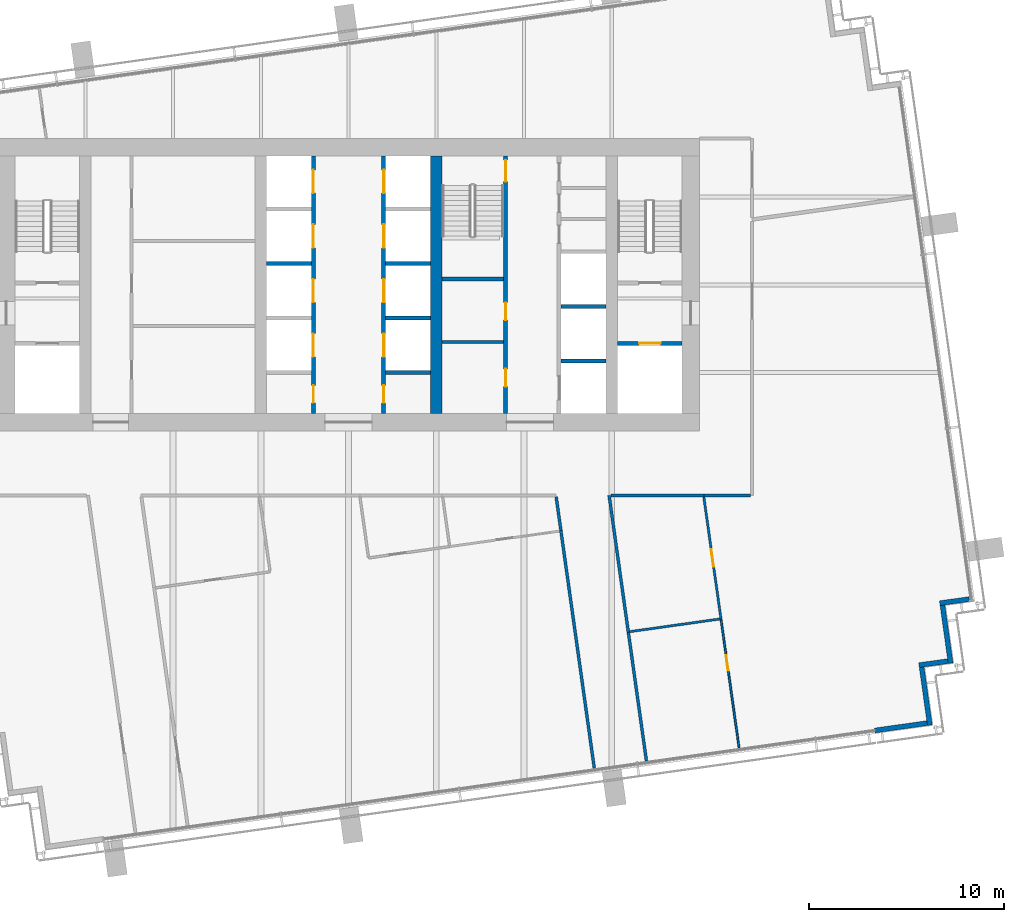
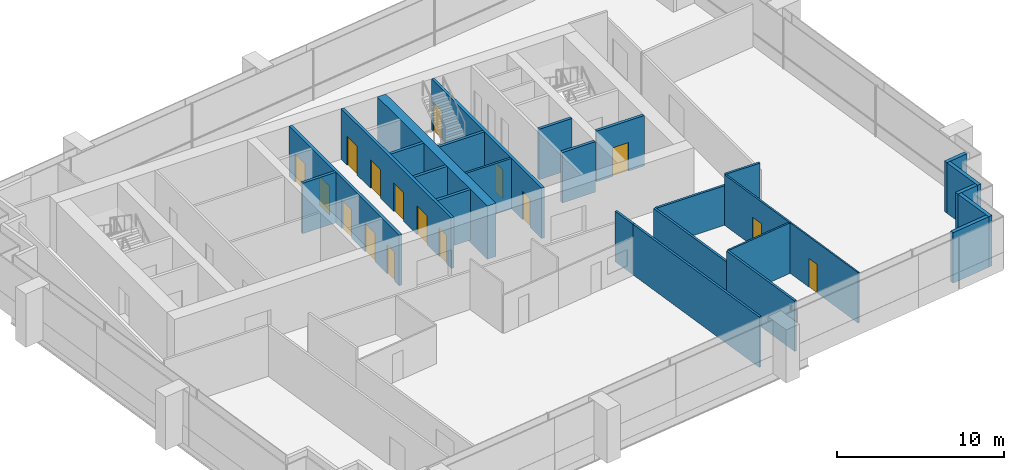
# One storey, part 10 of 17: 27 walls, 16 doors, 16 openings.
"""IFC4 building model written with IfcOpenShell, lengths in metres."""

from ifc_helpers import new_model, si_unit, direction, frame, frame_2d, origin, place, context, subcontext, project, spatial, rectangle, extrude, material, layer, layer_set, type_object, element, fill, save


model = new_model("IFC4")

# Units and contexts
model_context = context("Model", 3, precision=1e-05, world=origin(), true_north=direction((0.0, 1.0)))
body_context = subcontext(model_context, "Body", "Model", "MODEL_VIEW")
ifc_project = project(units=[si_unit("LENGTHUNIT", "METRE"), si_unit("AREAUNIT", "SQUARE_METRE"), si_unit("VOLUMEUNIT", "CUBIC_METRE"), si_unit("PLANEANGLEUNIT", "RADIAN"), si_unit("MASSUNIT", "GRAM", prefix="KILO")], contexts=[model_context])

# Site, building, storey
site_placement = place(None, origin())
site = spatial("IfcSite", under=ifc_project, at=site_placement, CompositionType="ELEMENT")
building_placement = place(site_placement, origin())
building = spatial("IfcBuilding", under=site, at=building_placement, Name="Rattan Terrace Tower", CompositionType="ELEMENT")
storey_placement = place(building_placement, frame((0.0, 0.0, 221.300048828125)))
storey = spatial("IfcBuildingStorey", under=building, at=storey_placement, Name="L50", CompositionType="ELEMENT", Elevation=221.300048828125)

# Wall
ifc_material_1 = material(Name="Gypsum board partition")
ifc_layer_1 = layer(ifc_material_1, 0.14990234375)
ifc_layer_set_1 = layer_set([ifc_layer_1], Name="Core partition 150")
wall_type_1 = type_object("IfcWallType", Name="Core partition 150", PredefinedType="PARTITIONING", material=ifc_layer_set_1)
wall_1_placement = place(storey_placement, frame((4.800048828125, -2.927978515625, 0.0), z_axis=(0.0, 0.0, 1.0), x_axis=(1.0, 0.0, 0.0)))
element("IfcWall", 1, at=wall_1_placement, inside=storey, type_object=wall_type_1, Name="Toilet wall", PredefinedType="PARTITIONING", context=body_context, shape_type="SweptSolid", body=[
    extrude(rectangle(XDim=3.14990234375, YDim=0.14990234375, at=frame_2d((1.574951171875, 0.0))), origin(), (0.0, 0.0, 1.0), 3.699951171875),
])

# Wall, opening, door
ifc_material_2 = material(Name="Gypsum board partition")
ifc_layer_2 = layer(ifc_material_2, 0.199951171875)
ifc_layer_set_2 = layer_set([ifc_layer_2], Name="Core partition 200")
wall_type_2 = type_object("IfcWallType", Name="Core partition 200", PredefinedType="PARTITIONING", material=ifc_layer_set_2)
wall_2_placement = place(storey_placement, frame((13.800048828125, -3.0, 0.0), z_axis=(0.0, 0.0, 1.0), x_axis=(1.0, 0.0, 0.0)))
wall_2 = element("IfcWall", 2, at=wall_2_placement, inside=storey, type_object=wall_type_2, Name="Fire-fighting lobby wall", PredefinedType="PARTITIONING", context=body_context, shape_type="SweptSolid", body=[
    extrude(rectangle(XDim=3.300048828125, YDim=0.199951171875, at=frame_2d((1.64990234375, 0.0))), origin(), (0.0, 0.0, 1.0), 3.699951171875),
])
opening_1_placement = place(wall_2_placement, frame((1.10009765625, 0.0, 0.0)))
opening_1 = element("IfcOpeningElement", 3, at=opening_1_placement, cuts=wall_2, Name="Opening L50-LD-FF2", PredefinedType="OPENING", context=body_context, shape_type="SweptSolid", body=[
    extrude(rectangle(XDim=1.10009765625, YDim=2.10009765625, at=frame_2d((0.550048828125, 1.050048828125))), frame((0.0, 0.110595703125, 0.0), z_axis=(0.0, -1.0, 0.0), x_axis=(1.0, 0.0, 0.0)), (0.0, 0.0, 1.0), 0.220947265625),
])
ifc_material_3 = material(Name="Brushed stainless landing door panel")
door_type_1 = type_object("IfcDoorType", Name="Core lift landing door 1100", OperationType="DOUBLE_DOOR_SLIDING", PredefinedType="DOOR", material=ifc_material_3)
door_1_placement = place(opening_1_placement, origin())
door_1 = element("IfcDoor", 4, at=door_1_placement, inside=storey, type_object=door_type_1, Name="Door L50-LD-FF2", OperationType="DOUBLE_DOOR_SLIDING", OverallHeight=2.10009765625, OverallWidth=1.10009765625, PredefinedType="DOOR", context=body_context, shape_type="SweptSolid", body=[
    extrude(rectangle(XDim=1.10009765625, YDim=2.10009765625, at=frame_2d((0.550048828125, 1.050048828125))), frame((0.0, 0.02490234375, 0.0), z_axis=(0.0, -1.0, 0.0), x_axis=(1.0, 0.0, 0.0)), (0.0, 0.0, 1.0), 0.050048828125),
])
fill(opening_1, door_1)

# Wall, openings, doors
wall_3_placement = place(storey_placement, frame((8.050048828125, -6.60009765625, 0.0), z_axis=(0.0, 0.0, 1.0), x_axis=(0.0, 1.0, 0.0)))
wall_3 = element("IfcWall", 5, at=wall_3_placement, inside=storey, type_object=wall_type_2, Name="Lobby wall west", PredefinedType="PARTITIONING", context=body_context, shape_type="SweptSolid", body=[
    extrude(rectangle(XDim=13.2001953125, YDim=0.199951171875, at=frame_2d((6.60009765625, 0.0))), origin(), (0.0, 0.0, 1.0), 3.699951171875),
])
opening_2_placement = place(wall_3_placement, frame((1.385986328125, 0.0, 0.0)))
opening_2 = element("IfcOpeningElement", 6, at=opening_2_placement, cuts=wall_3, Name="Opening L50-D012", PredefinedType="OPENING", context=body_context, shape_type="SweptSolid", body=[
    extrude(rectangle(XDim=0.89990234375, YDim=2.10009765625, at=frame_2d((0.449951171875, 1.050048828125))), frame((0.0, 0.110595703125, 0.0), z_axis=(0.0, -1.0, 0.0), x_axis=(1.0, 0.0, 0.0)), (0.0, 0.0, 1.0), 0.220947265625),
])
opening_3_placement = place(wall_3_placement, frame((4.785888671875, 0.0, 0.0)))
opening_3 = element("IfcOpeningElement", 7, at=opening_3_placement, cuts=wall_3, Name="Opening L50-D013", PredefinedType="OPENING", context=body_context, shape_type="SweptSolid", body=[
    extrude(rectangle(XDim=0.89990234375, YDim=2.10009765625, at=frame_2d((0.449951171875, 1.050048828125))), frame((0.0, 0.110595703125, 0.0), z_axis=(0.0, -1.0, 0.0), x_axis=(1.0, 0.0, 0.0)), (0.0, 0.0, 1.0), 0.220947265625),
])
opening_4_placement = place(wall_3_placement, frame((11.89990234375, 0.0, 0.0)))
opening_4 = element("IfcOpeningElement", 8, at=opening_4_placement, cuts=wall_3, Name="Opening L50-D014", PredefinedType="OPENING", context=body_context, shape_type="SweptSolid", body=[
    extrude(rectangle(XDim=1.10009765625, YDim=2.10009765625, at=frame_2d((0.550048828125, 1.050048828125))), frame((0.0, 0.110595703125, 0.0), z_axis=(0.0, -1.0, 0.0), x_axis=(1.0, 0.0, 0.0)), (0.0, 0.0, 1.0), 0.220947265625),
])
ifc_material_4 = material(Name="Hollow-metal fire door leaf")
door_type_2 = type_object("IfcDoorType", Name="Core stair door 1100", OperationType="NOTDEFINED", PredefinedType="DOOR", material=ifc_material_4)
door_2_placement = place(opening_4_placement, origin())
door_2 = element("IfcDoor", 9, at=door_2_placement, inside=storey, type_object=door_type_2, Name="Door L50-D014", OperationType="SINGLE_SWING_LEFT", OverallHeight=2.10009765625, OverallWidth=1.10009765625, PredefinedType="DOOR", context=body_context, shape_type="SweptSolid", body=[
    extrude(rectangle(XDim=1.10009765625, YDim=2.10009765625, at=frame_2d((0.550048828125, 1.050048828125))), frame((0.0, 0.02490234375, 0.0), z_axis=(0.0, -1.0, 0.0), x_axis=(1.0, 0.0, 0.0)), (0.0, 0.0, 1.0), 0.050048828125),
])
fill(opening_4, door_2)
ifc_material_5 = material(Name="Hollow-metal fire door leaf")
door_type_3 = type_object("IfcDoorType", Name="Core toilet door 900", OperationType="NOTDEFINED", PredefinedType="DOOR", material=ifc_material_5)
door_3_placement = place(opening_2_placement, origin())
door_3 = element("IfcDoor", 10, at=door_3_placement, inside=storey, type_object=door_type_3, Name="Door L50-D012", OperationType="SINGLE_SWING_LEFT", OverallHeight=2.10009765625, OverallWidth=0.89990234375, PredefinedType="DOOR", context=body_context, shape_type="SweptSolid", body=[
    extrude(rectangle(XDim=0.89990234375, YDim=2.10009765625, at=frame_2d((0.449951171875, 1.050048828125))), frame((0.0, 0.02490234375, 0.0), z_axis=(0.0, -1.0, 0.0), x_axis=(1.0, 0.0, 0.0)), (0.0, 0.0, 1.0), 0.050048828125),
])
fill(opening_2, door_3)
door_4_placement = place(opening_3_placement, origin())
door_4 = element("IfcDoor", 11, at=door_4_placement, inside=storey, type_object=door_type_3, Name="Door L50-D013", OperationType="SINGLE_SWING_RIGHT", OverallHeight=2.10009765625, OverallWidth=0.89990234375, PredefinedType="DOOR", context=body_context, shape_type="SweptSolid", body=[
    extrude(rectangle(XDim=0.89990234375, YDim=2.10009765625, at=frame_2d((0.449951171875, 1.050048828125))), frame((0.0, 0.02490234375, 0.0), z_axis=(0.0, -1.0, 0.0), x_axis=(1.0, 0.0, 0.0)), (0.0, 0.0, 1.0), 0.050048828125),
])
fill(opening_3, door_4)

# Walls
wall_4_placement = place(storey_placement, frame((4.800048828125, 0.300048828125, 0.0), z_axis=(0.0, 0.0, 1.0), x_axis=(1.0, 0.0, 0.0)))
element("IfcWall", 12, at=wall_4_placement, inside=storey, type_object=wall_type_2, Name="Stair enclosure wall", PredefinedType="PARTITIONING", context=body_context, shape_type="SweptSolid", body=[
    extrude(rectangle(XDim=3.14990234375, YDim=0.199951171875, at=frame_2d((1.574951171875, 0.0))), origin(), (0.0, 0.0, 1.0), 3.699951171875),
])
ifc_material_6 = material(Name="Concrete C50/60", Category="concrete")
ifc_layer_3 = layer(ifc_material_6, 0.60009765625)
ifc_layer_set_3 = layer_set([ifc_layer_3], Name="Core spine wall 600 C50/60")
wall_type_3 = type_object("IfcWallType", Name="Core spine wall 600 C50/60", PredefinedType="SHEAR", material=ifc_layer_set_3)
wall_5_placement = place(storey_placement, frame((4.5, -6.60009765625, -0.199951171875), z_axis=(0.0, 0.0, 1.0), x_axis=(0.0, 1.0, 0.0)))
element("IfcWall", 13, at=wall_5_placement, inside=storey, type_object=wall_type_3, Name="Core spine wall 3", PredefinedType="SHEAR", context=body_context, shape_type="SweptSolid", body=[
    extrude(rectangle(XDim=13.2001953125, YDim=0.60009765625, at=frame_2d((6.60009765625, 0.0))), origin(), (0.0, 0.0, 1.0), 3.89990234375),
])
ifc_material_7 = material(Name="Insulated aluminium-clad stud wall", Category="aluminium")
ifc_layer_4 = layer(ifc_material_7, 0.25)
ifc_layer_set_4 = layer_set([ifc_layer_4], Name="Facade Riser Wall 250")
wall_type_4 = type_object("IfcWallType", Name="Facade Riser Wall 250", PredefinedType="SOLIDWALL", material=ifc_layer_set_4)
wall_6_placement = place(storey_placement, frame((26.995361328125, -22.858642578125, 0.0), z_axis=(0.0, 0.0, 1.0), x_axis=(0.99024510326, 0.139336411139, 0.0)))
element("IfcWall", 14, at=wall_6_placement, inside=storey, type_object=wall_type_4, Name="Riser wall L50-1", PredefinedType="SOLIDWALL", context=body_context, shape_type="SweptSolid", body=[
    extrude(rectangle(XDim=2.705322265625, YDim=0.25, at=frame_2d((1.3525390625, 0.0))), origin(), (0.0, 0.0, 1.0), 3.699951171875),
])
wall_7_placement = place(storey_placement, frame((29.8154296875, -22.588134765625, 0.0), z_axis=(0.0, 0.0, 1.0), x_axis=(-0.138983028379, 0.9902947631, 0.0)))
element("IfcWall", 15, at=wall_7_placement, inside=storey, type_object=wall_type_4, Name="Riser wall L50-2", PredefinedType="SOLIDWALL", context=body_context, shape_type="SweptSolid", body=[
    extrude(rectangle(XDim=3.000244140625, YDim=0.25, at=frame_2d((1.5, 0.0))), origin(), (0.0, 0.0, 1.0), 3.699951171875),
])
wall_8_placement = place(storey_placement, frame((29.25732421875, -19.510498046875, 0.0), z_axis=(0.0, 0.0, 1.0), x_axis=(0.990330117064, 0.138730887823, 0.0)))
element("IfcWall", 16, at=wall_8_placement, inside=storey, type_object=wall_type_4, Name="Riser wall L50-3", PredefinedType="SOLIDWALL", context=body_context, shape_type="SweptSolid", body=[
    extrude(rectangle(XDim=1.499267578125, YDim=0.25, at=frame_2d((0.74951171875, 0.0))), origin(), (0.0, 0.0, 1.0), 3.699951171875),
])
wall_9_placement = place(storey_placement, frame((30.88330078125, -19.408935546875, 0.0), z_axis=(0.0, 0.0, 1.0), x_axis=(-0.139324658755, 0.990246756855, 0.0)))
element("IfcWall", 17, at=wall_9_placement, inside=storey, type_object=wall_type_4, Name="Riser wall L50-4", PredefinedType="SOLIDWALL", context=body_context, shape_type="SweptSolid", body=[
    extrude(rectangle(XDim=3.0, YDim=0.25, at=frame_2d((1.5, 0.0))), origin(), (0.0, 0.0, 1.0), 3.699951171875),
])
wall_10_placement = place(storey_placement, frame((30.32421875, -16.331787109375, 0.0), z_axis=(0.0, 0.0, 1.0), x_axis=(0.990238641016, 0.139382329723, 0.0)))
element("IfcWall", 18, at=wall_10_placement, inside=storey, type_object=wall_type_4, Name="Riser wall L50-5", PredefinedType="SOLIDWALL", context=body_context, shape_type="SweptSolid", body=[
    extrude(rectangle(XDim=1.525634765625, YDim=0.25, at=frame_2d((0.7626953125, 0.0))), origin(), (0.0, 0.0, 1.0), 3.699951171875),
])

# Wall, opening, door
ifc_material_8 = material(Name="Gypsum board partition on steel studs", Category="steel")
ifc_layer_5 = layer(ifc_material_8, 0.10009765625)
ifc_layer_set_5 = layer_set([ifc_layer_5], Name="Floors Partition 100")
wall_type_5 = type_object("IfcWallType", Name="Floors Partition 100", PredefinedType="PARTITIONING", material=ifc_layer_set_5)
wall_11_placement = place(storey_placement, frame((20.030029296875, -23.74609375, 0.0), z_axis=(0.0, 0.0, 1.0), x_axis=(-0.139070003418, 0.990282552683, 0.0)))
wall_11 = element("IfcWall", 19, at=wall_11_placement, inside=storey, type_object=wall_type_5, Name="pt-L50-020", PredefinedType="PARTITIONING", context=body_context, shape_type="SweptSolid", body=[
    extrude(rectangle(XDim=6.65869140625, YDim=0.10009765625, at=frame_2d((3.329345703125, 0.0))), origin(), (0.0, 0.0, 1.0), 3.699951171875),
])
opening_5_placement = place(wall_11_placement, frame((4.0009765625, 0.0, 0.0)))
opening_5 = element("IfcOpeningElement", 20, at=opening_5_placement, cuts=wall_11, Name="Opening L50-D102", PredefinedType="OPENING", context=body_context, shape_type="SweptSolid", body=[
    extrude(rectangle(XDim=0.800048828125, YDim=2.10009765625, at=frame_2d((0.39990234375, 1.050048828125))), frame((0.0, 0.060546875, 0.0), z_axis=(0.0, -1.0, 0.0), x_axis=(1.0, 0.0, 0.0)), (0.0, 0.0, 1.0), 0.12109375),
])
ifc_material_9 = material(Name="Solid core timber door, painted", Category="wood")
door_type_4 = type_object("IfcDoorType", Name="Floors Store Door 800x2100", OperationType="NOTDEFINED", PredefinedType="DOOR", material=ifc_material_9)
door_5_placement = place(opening_5_placement, origin())
door_5 = element("IfcDoor", 21, at=door_5_placement, inside=storey, type_object=door_type_4, Name="d-L50-102", OperationType="SINGLE_SWING_RIGHT", OverallHeight=2.10009765625, OverallWidth=0.800048828125, PredefinedType="DOOR", context=body_context, shape_type="SweptSolid", body=[
    extrude(rectangle(XDim=0.800048828125, YDim=2.10009765625, at=frame_2d((0.39990234375, 1.050048828125))), frame((0.0, 0.02490234375, 0.0), z_axis=(0.0, -1.0, 0.0), x_axis=(1.0, 0.0, 0.0)), (0.0, 0.0, 1.0), 0.050048828125),
])
fill(opening_5, door_5)

# Walls
ifc_material_10 = material(Name="Gypsum board partition on steel studs, fire rated", Category="steel")
ifc_layer_6 = layer(ifc_material_10, 0.14990234375)
ifc_layer_set_6 = layer_set([ifc_layer_6], Name="Floors Tenancy Wall 150")
wall_type_6 = type_object("IfcWallType", Name="Floors Tenancy Wall 150", PredefinedType="PARTITIONING", material=ifc_layer_set_6)
wall_12_placement = place(storey_placement, frame((20.625, -10.801025390625, 0.0), z_axis=(0.0, 0.0, 1.0), x_axis=(-1.0, 0.0, 0.0)))
element("IfcWall", 22, at=wall_12_placement, inside=storey, type_object=wall_type_6, Name="pt-L50-004", PredefinedType="PARTITIONING", context=body_context, shape_type="SweptSolid", body=[
    extrude(rectangle(XDim=2.39404296875, YDim=0.14990234375, at=frame_2d((1.197021484375, 0.0))), origin(), (0.0, 0.0, 1.0), 3.699951171875),
])
wall_13_placement = place(storey_placement, frame((14.35009765625, -17.820068359375, 0.0), z_axis=(0.0, 0.0, 1.0), x_axis=(0.139193607275, -0.99026518655, 0.0)))
element("IfcWall", 23, at=wall_13_placement, inside=storey, type_object=wall_type_6, Name="pt-L50-006", PredefinedType="PARTITIONING", context=body_context, shape_type="SweptSolid", body=[
    extrude(rectangle(XDim=6.659912109375, YDim=0.14990234375, at=frame_2d((3.330078125, 0.0))), origin(), (0.0, 0.0, 1.0), 3.699951171875),
])
wall_14_placement = place(storey_placement, frame((13.363037109375, -10.800048828125, 0.0), z_axis=(0.0, 0.0, 1.0), x_axis=(0.139236890445, -0.990259101619, 0.0)))
element("IfcWall", 24, at=wall_14_placement, inside=storey, type_object=wall_type_6, Name="pt-L50-007", PredefinedType="PARTITIONING", context=body_context, shape_type="SweptSolid", body=[
    extrude(rectangle(XDim=7.089111328125, YDim=0.14990234375, at=frame_2d((3.54443359375, 0.0))), origin(), (0.0, 0.0, 1.0), 2.89990234375),
])
wall_15_placement = place(storey_placement, frame((18.23095703125, -10.800048828125, 0.0), z_axis=(0.0, 0.0, 1.0), x_axis=(-1.0, 0.0, 0.0)))
element("IfcWall", 25, at=wall_15_placement, inside=storey, type_object=wall_type_6, Name="pt-L50-008", PredefinedType="PARTITIONING", context=body_context, shape_type="SweptSolid", body=[
    extrude(rectangle(XDim=4.781982421875, YDim=0.14990234375, at=frame_2d((2.39111328125, 0.0))), origin(), (0.0, 0.0, 1.0), 2.89990234375),
])
wall_16_placement = place(storey_placement, frame((12.60302734375, -24.791015625, 0.0), z_axis=(0.0, 0.0, 1.0), x_axis=(-0.139180069817, 0.990267089308, 0.0)))
element("IfcWall", 26, at=wall_16_placement, inside=storey, type_object=wall_type_6, Name="pt-L50-014", PredefinedType="PARTITIONING", context=body_context, shape_type="SweptSolid", body=[
    extrude(rectangle(XDim=12.308837890625, YDim=0.14990234375, at=frame_2d((6.154296875, 0.0))), origin(), (0.0, 0.0, 1.0), 3.699951171875),
])
wall_17_placement = place(storey_placement, frame((10.89111328125, -12.60107421875, 0.0), z_axis=(0.0, 0.0, 1.0), x_axis=(-0.139344862723, 0.990243914009, 0.0)))
element("IfcWall", 27, at=wall_17_placement, inside=storey, type_object=wall_type_6, Name="pt-L50-019", PredefinedType="PARTITIONING", context=body_context, shape_type="SweptSolid", body=[
    extrude(rectangle(XDim=1.7451171875, YDim=0.14990234375, at=frame_2d((0.87255859375, 0.0))), origin(), (0.0, 0.0, 1.0), 3.699951171875),
])

# Wall, opening, door
ifc_material_11 = material(Name="Moisture resistant gypsum board partition on steel studs with service cavity", Category="steel")
ifc_layer_7 = layer(ifc_material_11, 0.1201171875)
ifc_layer_set_7 = layer_set([ifc_layer_7], Name="Floors Wet Wall 120")
wall_type_7 = type_object("IfcWallType", Name="Floors Wet Wall 120", PredefinedType="PARTITIONING", material=ifc_layer_set_7)
wall_18_placement = place(storey_placement, frame((19.10400390625, -17.152099609375, 0.0), z_axis=(0.0, 0.0, 1.0), x_axis=(-0.139283120935, 0.99025260021, 0.0)))
wall_18 = element("IfcWall", 28, at=wall_18_placement, inside=storey, type_object=wall_type_7, Name="pt-L50-021", PredefinedType="PARTITIONING", context=body_context, shape_type="SweptSolid", body=[
    extrude(rectangle(XDim=6.346923828125, YDim=0.1201171875, at=frame_2d((3.17333984375, 0.0))), origin(), (0.0, 0.0, 1.0), 3.699951171875),
])
opening_6_placement = place(wall_18_placement, frame((2.722900390625, 0.0, 0.0)))
opening_6 = element("IfcOpeningElement", 29, at=opening_6_placement, cuts=wall_18, Name="Opening L50-D103", PredefinedType="OPENING", context=body_context, shape_type="SweptSolid", body=[
    extrude(rectangle(XDim=0.89990234375, YDim=2.10009765625, at=frame_2d((0.449951171875, 1.050048828125))), frame((0.0, 0.070556640625, 0.0), z_axis=(0.0, -1.0, 0.0), x_axis=(1.0, 0.0, 0.0)), (0.0, 0.0, 1.0), 0.14111328125),
])
ifc_material_12 = material(Name="Solid core timber door, painted", Category="wood")
door_type_5 = type_object("IfcDoorType", Name="Floors Door 900x2100", OperationType="NOTDEFINED", PredefinedType="DOOR", material=ifc_material_12)
door_6_placement = place(opening_6_placement, origin())
door_6 = element("IfcDoor", 30, at=door_6_placement, inside=storey, type_object=door_type_5, Name="d-L50-103", OperationType="SINGLE_SWING_RIGHT", OverallHeight=2.10009765625, OverallWidth=0.89990234375, PredefinedType="DOOR", context=body_context, shape_type="SweptSolid", body=[
    extrude(rectangle(XDim=0.89990234375, YDim=2.10009765625, at=frame_2d((0.449951171875, 1.050048828125))), frame((0.0, 0.02490234375, 0.0), z_axis=(0.0, -1.0, 0.0), x_axis=(1.0, 0.0, 0.0)), (0.0, 0.0, 1.0), 0.050048828125),
])
fill(opening_6, door_6)

# Wall
wall_19_placement = place(storey_placement, frame((14.4208984375, -17.7900390625, 0.0), z_axis=(0.0, 0.0, 1.0), x_axis=(0.990243495755, 0.139347834982, 0.0)))
element("IfcWall", 31, at=wall_19_placement, inside=storey, type_object=wall_type_7, Name="pt-L50-023", PredefinedType="PARTITIONING", context=body_context, shape_type="SweptSolid", body=[
    extrude(rectangle(XDim=4.66552734375, YDim=0.1201171875, at=frame_2d((2.332763671875, 0.0))), origin(), (0.0, 0.0, 1.0), 3.699951171875),
])

# Wall, openings, doors
ifc_material_13 = material(Name="Gypsum shaft wall system")
ifc_layer_8 = layer(ifc_material_13, 0.199951171875)
ifc_layer_set_8 = layer_set([ifc_layer_8], Name="Lift shaft wall 200")
wall_type_8 = type_object("IfcWallType", Name="Lift shaft wall 200", PredefinedType="PARTITIONING", material=ifc_layer_set_8)
wall_20_placement = place(storey_placement, frame((-1.800048828125, -6.60009765625, 0.0), z_axis=(0.0, 0.0, 1.0), x_axis=(0.0, 1.0, 0.0)))
wall_20 = element("IfcWall", 32, at=wall_20_placement, inside=storey, type_object=wall_type_8, Name="Lift shaft front wall", PredefinedType="PARTITIONING", context=body_context, shape_type="SweptSolid", body=[
    extrude(rectangle(XDim=13.2001953125, YDim=0.199951171875, at=frame_2d((6.60009765625, 0.0))), origin(), (0.0, 0.0, 1.0), 3.699951171875),
])
opening_7_placement = place(wall_20_placement, frame((0.550048828125, 0.0, 0.0)))
opening_7 = element("IfcOpeningElement", 33, at=opening_7_placement, cuts=wall_20, Name="Opening L50-D009", PredefinedType="OPENING", context=body_context, shape_type="SweptSolid", body=[
    extrude(rectangle(XDim=0.89990234375, YDim=2.10009765625, at=frame_2d((0.449951171875, 1.050048828125))), frame((0.0, 0.110595703125, 0.0), z_axis=(0.0, -1.0, 0.0), x_axis=(1.0, 0.0, 0.0)), (0.0, 0.0, 1.0), 0.220947265625),
])
opening_8_placement = place(wall_20_placement, frame((2.89990234375, 0.0, 0.0)))
opening_8 = element("IfcOpeningElement", 34, at=opening_8_placement, cuts=wall_20, Name="Opening L50-LD-HR1", PredefinedType="OPENING", context=body_context, shape_type="SweptSolid", body=[
    extrude(rectangle(XDim=1.199951171875, YDim=2.10009765625, at=frame_2d((0.60009765625, 1.050048828125))), frame((0.0, 0.110595703125, 0.0), z_axis=(0.0, -1.0, 0.0), x_axis=(1.0, 0.0, 0.0)), (0.0, 0.0, 1.0), 0.220947265625),
])
opening_9_placement = place(wall_20_placement, frame((5.699951171875, 0.0, 0.0)))
opening_9 = element("IfcOpeningElement", 35, at=opening_9_placement, cuts=wall_20, Name="Opening L50-LD-HR2", PredefinedType="OPENING", context=body_context, shape_type="SweptSolid", body=[
    extrude(rectangle(XDim=1.199951171875, YDim=2.10009765625, at=frame_2d((0.60009765625, 1.050048828125))), frame((0.0, 0.110595703125, 0.0), z_axis=(0.0, -1.0, 0.0), x_axis=(1.0, 0.0, 0.0)), (0.0, 0.0, 1.0), 0.220947265625),
])
opening_10_placement = place(wall_20_placement, frame((8.5, 0.0, 0.0)))
opening_10 = element("IfcOpeningElement", 36, at=opening_10_placement, cuts=wall_20, Name="Opening L50-LD-HR3", PredefinedType="OPENING", context=body_context, shape_type="SweptSolid", body=[
    extrude(rectangle(XDim=1.199951171875, YDim=2.10009765625, at=frame_2d((0.60009765625, 1.050048828125))), frame((0.0, 0.110595703125, 0.0), z_axis=(0.0, -1.0, 0.0), x_axis=(1.0, 0.0, 0.0)), (0.0, 0.0, 1.0), 0.220947265625),
])
opening_11_placement = place(wall_20_placement, frame((11.300048828125, 0.0, 0.0)))
opening_11 = element("IfcOpeningElement", 37, at=opening_11_placement, cuts=wall_20, Name="Opening L50-LD-HR4", PredefinedType="OPENING", context=body_context, shape_type="SweptSolid", body=[
    extrude(rectangle(XDim=1.199951171875, YDim=2.10009765625, at=frame_2d((0.60009765625, 1.050048828125))), frame((0.0, 0.110595703125, 0.0), z_axis=(0.0, -1.0, 0.0), x_axis=(1.0, 0.0, 0.0)), (0.0, 0.0, 1.0), 0.220947265625),
])
ifc_material_14 = material(Name="Brushed stainless landing door panel")
door_type_6 = type_object("IfcDoorType", Name="Core lift landing door 1200", OperationType="DOUBLE_DOOR_SLIDING", PredefinedType="DOOR", material=ifc_material_14)
door_7_placement = place(opening_8_placement, origin())
door_7 = element("IfcDoor", 38, at=door_7_placement, inside=storey, type_object=door_type_6, Name="Door L50-LD-HR1", OperationType="DOUBLE_DOOR_SLIDING", OverallHeight=2.10009765625, OverallWidth=1.199951171875, PredefinedType="DOOR", context=body_context, shape_type="SweptSolid", body=[
    extrude(rectangle(XDim=1.199951171875, YDim=2.10009765625, at=frame_2d((0.60009765625, 1.050048828125))), frame((0.0, 0.02490234375, 0.0), z_axis=(0.0, -1.0, 0.0), x_axis=(1.0, 0.0, 0.0)), (0.0, 0.0, 1.0), 0.050048828125),
])
fill(opening_8, door_7)
door_8_placement = place(opening_9_placement, origin())
door_8 = element("IfcDoor", 39, at=door_8_placement, inside=storey, type_object=door_type_6, Name="Door L50-LD-HR2", OperationType="DOUBLE_DOOR_SLIDING", OverallHeight=2.10009765625, OverallWidth=1.199951171875, PredefinedType="DOOR", context=body_context, shape_type="SweptSolid", body=[
    extrude(rectangle(XDim=1.199951171875, YDim=2.10009765625, at=frame_2d((0.60009765625, 1.050048828125))), frame((0.0, 0.02490234375, 0.0), z_axis=(0.0, -1.0, 0.0), x_axis=(1.0, 0.0, 0.0)), (0.0, 0.0, 1.0), 0.050048828125),
])
fill(opening_9, door_8)
door_9_placement = place(opening_10_placement, origin())
door_9 = element("IfcDoor", 40, at=door_9_placement, inside=storey, type_object=door_type_6, Name="Door L50-LD-HR3", OperationType="DOUBLE_DOOR_SLIDING", OverallHeight=2.10009765625, OverallWidth=1.199951171875, PredefinedType="DOOR", context=body_context, shape_type="SweptSolid", body=[
    extrude(rectangle(XDim=1.199951171875, YDim=2.10009765625, at=frame_2d((0.60009765625, 1.050048828125))), frame((0.0, 0.02490234375, 0.0), z_axis=(0.0, -1.0, 0.0), x_axis=(1.0, 0.0, 0.0)), (0.0, 0.0, 1.0), 0.050048828125),
])
fill(opening_10, door_9)
door_10_placement = place(opening_11_placement, origin())
door_10 = element("IfcDoor", 41, at=door_10_placement, inside=storey, type_object=door_type_6, Name="Door L50-LD-HR4", OperationType="DOUBLE_DOOR_SLIDING", OverallHeight=2.10009765625, OverallWidth=1.199951171875, PredefinedType="DOOR", context=body_context, shape_type="SweptSolid", body=[
    extrude(rectangle(XDim=1.199951171875, YDim=2.10009765625, at=frame_2d((0.60009765625, 1.050048828125))), frame((0.0, 0.02490234375, 0.0), z_axis=(0.0, -1.0, 0.0), x_axis=(1.0, 0.0, 0.0)), (0.0, 0.0, 1.0), 0.050048828125),
])
fill(opening_11, door_10)
ifc_material_15 = material(Name="Hollow-metal fire door leaf")
door_type_7 = type_object("IfcDoorType", Name="Core riser door 900", OperationType="NOTDEFINED", PredefinedType="DOOR", material=ifc_material_15)
door_11_placement = place(opening_7_placement, origin())
door_11 = element("IfcDoor", 42, at=door_11_placement, inside=storey, type_object=door_type_7, Name="Door L50-D009", OperationType="SINGLE_SWING_LEFT", OverallHeight=2.10009765625, OverallWidth=0.89990234375, PredefinedType="DOOR", context=body_context, shape_type="SweptSolid", body=[
    extrude(rectangle(XDim=0.89990234375, YDim=2.10009765625, at=frame_2d((0.449951171875, 1.050048828125))), frame((0.0, 0.02490234375, 0.0), z_axis=(0.0, -1.0, 0.0), x_axis=(1.0, 0.0, 0.0)), (0.0, 0.0, 1.0), 0.050048828125),
])
fill(opening_7, door_11)

wall_21_placement = place(storey_placement, frame((1.800048828125, -6.60009765625, 0.0), z_axis=(0.0, 0.0, 1.0), x_axis=(0.0, 1.0, 0.0)))
wall_21 = element("IfcWall", 43, at=wall_21_placement, inside=storey, type_object=wall_type_8, Name="Lift shaft front wall", PredefinedType="PARTITIONING", context=body_context, shape_type="SweptSolid", body=[
    extrude(rectangle(XDim=13.2001953125, YDim=0.199951171875, at=frame_2d((6.60009765625, 0.0))), origin(), (0.0, 0.0, 1.0), 3.699951171875),
])
opening_12_placement = place(wall_21_placement, frame((0.550048828125, 0.0, 0.0)))
opening_12 = element("IfcOpeningElement", 44, at=opening_12_placement, cuts=wall_21, Name="Opening L50-D010", PredefinedType="OPENING", context=body_context, shape_type="SweptSolid", body=[
    extrude(rectangle(XDim=0.89990234375, YDim=2.10009765625, at=frame_2d((0.449951171875, 1.050048828125))), frame((0.0, 0.110595703125, 0.0), z_axis=(0.0, -1.0, 0.0), x_axis=(1.0, 0.0, 0.0)), (0.0, 0.0, 1.0), 0.220947265625),
])
opening_13_placement = place(wall_21_placement, frame((2.89990234375, 0.0, 0.0)))
opening_13 = element("IfcOpeningElement", 45, at=opening_13_placement, cuts=wall_21, Name="Opening L50-LD-HR5", PredefinedType="OPENING", context=body_context, shape_type="SweptSolid", body=[
    extrude(rectangle(XDim=1.199951171875, YDim=2.10009765625, at=frame_2d((0.60009765625, 1.050048828125))), frame((0.0, 0.110595703125, 0.0), z_axis=(0.0, -1.0, 0.0), x_axis=(1.0, 0.0, 0.0)), (0.0, 0.0, 1.0), 0.220947265625),
])
opening_14_placement = place(wall_21_placement, frame((5.699951171875, 0.0, 0.0)))
opening_14 = element("IfcOpeningElement", 46, at=opening_14_placement, cuts=wall_21, Name="Opening L50-LD-HR6", PredefinedType="OPENING", context=body_context, shape_type="SweptSolid", body=[
    extrude(rectangle(XDim=1.199951171875, YDim=2.10009765625, at=frame_2d((0.60009765625, 1.050048828125))), frame((0.0, 0.110595703125, 0.0), z_axis=(0.0, -1.0, 0.0), x_axis=(1.0, 0.0, 0.0)), (0.0, 0.0, 1.0), 0.220947265625),
])
opening_15_placement = place(wall_21_placement, frame((8.5, 0.0, 0.0)))
opening_15 = element("IfcOpeningElement", 47, at=opening_15_placement, cuts=wall_21, Name="Opening L50-LD-HR7", PredefinedType="OPENING", context=body_context, shape_type="SweptSolid", body=[
    extrude(rectangle(XDim=1.199951171875, YDim=2.10009765625, at=frame_2d((0.60009765625, 1.050048828125))), frame((0.0, 0.110595703125, 0.0), z_axis=(0.0, -1.0, 0.0), x_axis=(1.0, 0.0, 0.0)), (0.0, 0.0, 1.0), 0.220947265625),
])
opening_16_placement = place(wall_21_placement, frame((11.300048828125, 0.0, 0.0)))
opening_16 = element("IfcOpeningElement", 48, at=opening_16_placement, cuts=wall_21, Name="Opening L50-LD-HR8", PredefinedType="OPENING", context=body_context, shape_type="SweptSolid", body=[
    extrude(rectangle(XDim=1.199951171875, YDim=2.10009765625, at=frame_2d((0.60009765625, 1.050048828125))), frame((0.0, 0.110595703125, 0.0), z_axis=(0.0, -1.0, 0.0), x_axis=(1.0, 0.0, 0.0)), (0.0, 0.0, 1.0), 0.220947265625),
])
door_12_placement = place(opening_13_placement, origin())
door_12 = element("IfcDoor", 49, at=door_12_placement, inside=storey, type_object=door_type_6, Name="Door L50-LD-HR5", OperationType="DOUBLE_DOOR_SLIDING", OverallHeight=2.10009765625, OverallWidth=1.199951171875, PredefinedType="DOOR", context=body_context, shape_type="SweptSolid", body=[
    extrude(rectangle(XDim=1.199951171875, YDim=2.10009765625, at=frame_2d((0.60009765625, 1.050048828125))), frame((0.0, 0.02490234375, 0.0), z_axis=(0.0, -1.0, 0.0), x_axis=(1.0, 0.0, 0.0)), (0.0, 0.0, 1.0), 0.050048828125),
])
fill(opening_13, door_12)
door_13_placement = place(opening_14_placement, origin())
door_13 = element("IfcDoor", 50, at=door_13_placement, inside=storey, type_object=door_type_6, Name="Door L50-LD-HR6", OperationType="DOUBLE_DOOR_SLIDING", OverallHeight=2.10009765625, OverallWidth=1.199951171875, PredefinedType="DOOR", context=body_context, shape_type="SweptSolid", body=[
    extrude(rectangle(XDim=1.199951171875, YDim=2.10009765625, at=frame_2d((0.60009765625, 1.050048828125))), frame((0.0, 0.02490234375, 0.0), z_axis=(0.0, -1.0, 0.0), x_axis=(1.0, 0.0, 0.0)), (0.0, 0.0, 1.0), 0.050048828125),
])
fill(opening_14, door_13)
door_14_placement = place(opening_15_placement, origin())
door_14 = element("IfcDoor", 51, at=door_14_placement, inside=storey, type_object=door_type_6, Name="Door L50-LD-HR7", OperationType="DOUBLE_DOOR_SLIDING", OverallHeight=2.10009765625, OverallWidth=1.199951171875, PredefinedType="DOOR", context=body_context, shape_type="SweptSolid", body=[
    extrude(rectangle(XDim=1.199951171875, YDim=2.10009765625, at=frame_2d((0.60009765625, 1.050048828125))), frame((0.0, 0.02490234375, 0.0), z_axis=(0.0, -1.0, 0.0), x_axis=(1.0, 0.0, 0.0)), (0.0, 0.0, 1.0), 0.050048828125),
])
fill(opening_15, door_14)
door_15_placement = place(opening_16_placement, origin())
door_15 = element("IfcDoor", 52, at=door_15_placement, inside=storey, type_object=door_type_6, Name="Door L50-LD-HR8", OperationType="DOUBLE_DOOR_SLIDING", OverallHeight=2.10009765625, OverallWidth=1.199951171875, PredefinedType="DOOR", context=body_context, shape_type="SweptSolid", body=[
    extrude(rectangle(XDim=1.199951171875, YDim=2.10009765625, at=frame_2d((0.60009765625, 1.050048828125))), frame((0.0, 0.02490234375, 0.0), z_axis=(0.0, -1.0, 0.0), x_axis=(1.0, 0.0, 0.0)), (0.0, 0.0, 1.0), 0.050048828125),
])
fill(opening_16, door_15)
door_16_placement = place(opening_12_placement, origin())
door_16 = element("IfcDoor", 53, at=door_16_placement, inside=storey, type_object=door_type_7, Name="Door L50-D010", OperationType="SINGLE_SWING_RIGHT", OverallHeight=2.10009765625, OverallWidth=0.89990234375, PredefinedType="DOOR", context=body_context, shape_type="SweptSolid", body=[
    extrude(rectangle(XDim=0.89990234375, YDim=2.10009765625, at=frame_2d((0.449951171875, 1.050048828125))), frame((0.0, 0.02490234375, 0.0), z_axis=(0.0, -1.0, 0.0), x_axis=(1.0, 0.0, 0.0)), (0.0, 0.0, 1.0), 0.050048828125),
])
fill(opening_12, door_16)

# Walls
for number, where, z_axis, x_axis, name in (
    (54, (-4.199951171875, 1.10009765625, 0.0), (0.0, 0.0, 1.0), (1.0, 0.0, 0.0), "Lift shaft wall"),
    (55, (1.89990234375, -1.699951171875, 0.0), (0.0, 0.0, 1.0), (1.0, 0.0, 0.0), "Lift shaft wall"),
    (56, (1.89990234375, 1.10009765625, 0.0), (0.0, 0.0, 1.0), (1.0, 0.0, 0.0), "Lift shaft wall"),
    (57, (1.89990234375, -4.5, 0.0), (0.0, 0.0, 1.0), (1.0, 0.0, 0.0), "Lift shaft wall"),
    (58, (10.89990234375, -3.89990234375, 0.0), (0.0, 0.0, 1.0), (1.0, 0.0, 0.0), "Lift shaft wall"),
    (59, (10.89990234375, -1.10009765625, 0.0), (0.0, 0.0, 1.0), (1.0, 0.0, 0.0), "Lift shaft wall"),
):
    element("IfcWall", number, at=place(storey_placement, frame(where, z_axis=z_axis, x_axis=x_axis)), inside=storey, type_object=wall_type_8, Name=name, PredefinedType="PARTITIONING", context=body_context, shape_type="SweptSolid", body=[
        extrude(rectangle(XDim=2.300048828125, YDim=0.199951171875, at=frame_2d((1.14990234375, 0.0))), origin(), (0.0, 0.0, 1.0), 3.699951171875),
    ])

save(model, "model.ifc")
